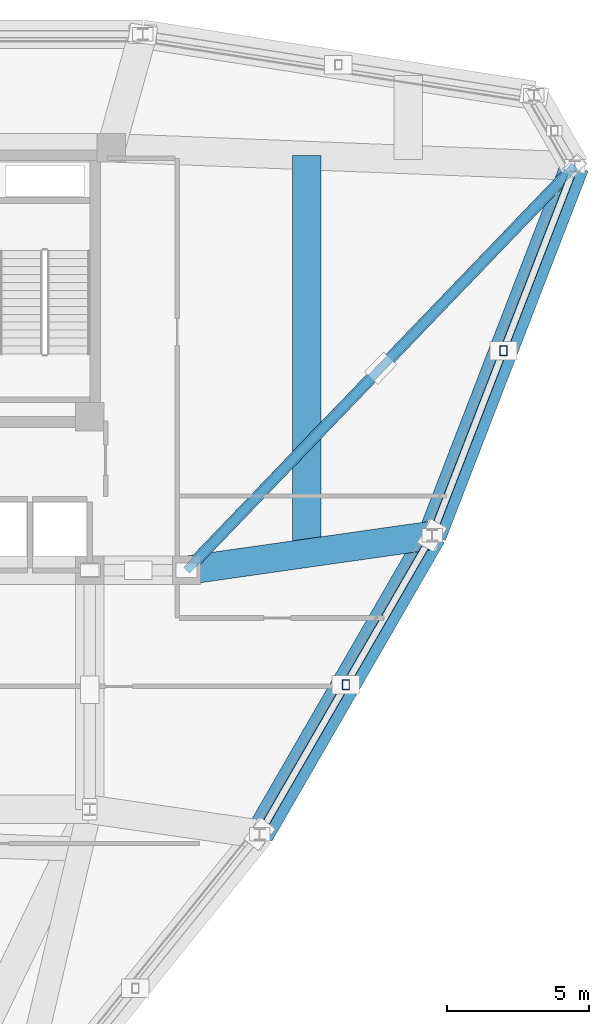
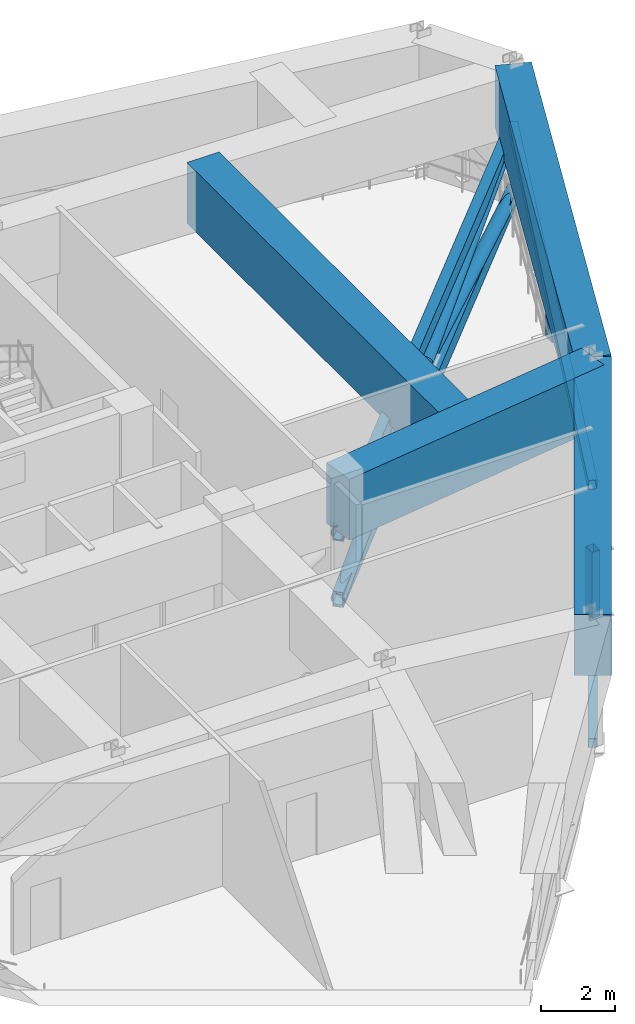
# One storey, part 4 of 11: 9 members, 4 beams.
"""IFC4 building model written with IfcOpenShell, lengths in metres."""

from ifc_helpers import new_model, si_unit, derived_unit, direction, frame, origin, origin_2d, place, context, subcontext, project, spatial, rectangle, hollow_rectangle, hollow_circle, extrude, source, transform, mapped, material, material_profile, profile_set, type_object, element, save


model = new_model("IFC4")

# Units and contexts
model_context = context("Model", 3, precision=1e-05, world=origin(), true_north=direction((0.0, 1.0)))
body_context = subcontext(model_context, "Body", "Model", "MODEL_VIEW")
ifc_project = project(units=[si_unit("LENGTHUNIT", "METRE"), si_unit("AREAUNIT", "SQUARE_METRE"), si_unit("VOLUMEUNIT", "CUBIC_METRE"), si_unit("PLANEANGLEUNIT", "RADIAN"), si_unit("MASSUNIT", "GRAM", prefix="KILO"), derived_unit("THERMALTRANSMITTANCEUNIT", [(si_unit("POWERUNIT", "WATT"), 1), (si_unit("LENGTHUNIT", "METRE"), -2), (si_unit("THERMODYNAMICTEMPERATUREUNIT", "KELVIN"), -1)])], contexts=[model_context])

# Site, building, storey
site_placement = place(None, origin())
site = spatial("IfcSite", under=ifc_project, at=site_placement, CompositionType="ELEMENT")
building_placement = place(site_placement, origin())
building = spatial("IfcBuilding", under=site, at=building_placement, Name="Korsvarv Bourse and Concert Hall", CompositionType="ELEMENT")
storey_placement = place(building_placement, frame((0.0, 0.0, 238.199951171875)))
storey = spatial("IfcBuildingStorey", under=building, at=storey_placement, Name="L62", CompositionType="ELEMENT", Elevation=238.199951171875)

# Members
ifc_material_1 = material(Name="Steel S355", Category="steel")
ifc_material_profile_1 = material_profile(ifc_material_1, hollow_rectangle(XDim=0.25, YDim=0.35009765625, WallThickness=0.012451171875, at=origin_2d()), Name="RHS 350x250x12.5")
ifc_profile_set_1 = profile_set([ifc_material_profile_1], Name="Steel S355")
member_type_1 = type_object("IfcMemberType", Name="MEM-RHS350", PredefinedType="STRUT", material=ifc_profile_set_1)
shared_shape_1 = source(origin(), body_context, "Body", "SweptSolid", [
    extrude(hollow_rectangle(XDim=0.25, YDim=0.35009765625, WallThickness=0.012451171875, at=origin_2d()), origin(), (0.0, 0.0, 1.0), 2.169921875),
])
for number, where, z_axis, x_axis, name in (
    (1, (53.399169921875, 28.37939453125, 0.35009765625), (0.0, 0.0, 1.0), (1.0, 0.0, 0.0), "L62 Perimeter Belt Truss Strut 11"),
    (2, (58.938720703125, 40.11767578125, 0.35009765625), (0.0, 0.0, 1.0), (1.0, 0.0, 0.0), "L62 Perimeter Belt Truss Strut 12"),
):
    element("IfcMember", number, at=place(storey_placement, frame(where, z_axis=z_axis, x_axis=x_axis)), inside=storey, type_object=member_type_1, Name=name, PredefinedType="STRUT", context=body_context, shape_type="MappedRepresentation", body=[
        mapped(shared_shape_1, transform((0.0, 0.0, 0.0), scale=1.0)),
    ])

# Beams
ifc_material_2 = material(Name="Concrete C60/75", Category="concrete")
ifc_material_profile_2 = material_profile(ifc_material_2, rectangle(XDim=1.0, YDim=2.0, at=origin_2d()), Name="RC-BM 1000x2000")
ifc_profile_set_2 = profile_set([ifc_material_profile_2], Name="Concrete C60/75")
beam_type = type_object("IfcBeamType", Name="BM-TR1", PredefinedType="BEAM", material=ifc_profile_set_2)
shared_shape_2 = source(origin(), body_context, "Body", "SweptSolid", [
    extrude(rectangle(XDim=1.0, YDim=2.0, at=origin_2d()), origin(), (0.0, 0.0, 1.0), 12.12353515625),
])
beam_1_placement = place(storey_placement, frame((50.368408203125, 23.1298828125, 3.570068359375), z_axis=(0.500000780442, 0.866024953196, 0.0), x_axis=(-0.866024953196, 0.500000780442, 0.0)))
element("IfcBeam", 3, at=beam_1_placement, inside=storey, type_object=beam_type, Name="L62 beam B-TR1", PredefinedType="BEAM", context=body_context, shape_type="MappedRepresentation", body=[
    mapped(shared_shape_2, transform((0.0, 0.0, 0.0), scale=1.0)),
])
shared_shape_3 = source(origin(), body_context, "Body", "SweptSolid", [
    extrude(rectangle(XDim=1.0, YDim=2.0, at=origin_2d()), origin(), (0.0, 0.0, 1.0), 13.9130859375),
])
beam_2_placement = place(storey_placement, frame((56.43017578125, 33.629150390625, 3.570068359375), z_axis=(0.360601228737, 0.932720083323, 0.0), x_axis=(-0.932720083323, 0.360601228737, 0.0)))
element("IfcBeam", 4, at=beam_2_placement, inside=storey, type_object=beam_type, Name="L62 beam B-TR1", PredefinedType="BEAM", context=body_context, shape_type="MappedRepresentation", body=[
    mapped(shared_shape_3, transform((0.0, 0.0, 0.0), scale=1.0)),
])
shared_shape_4 = source(origin(), body_context, "Body", "SweptSolid", [
    extrude(rectangle(XDim=1.0, YDim=2.0, at=origin_2d()), origin(), (0.0, 0.0, 1.0), 8.71728515625),
])
beam_3_placement = place(storey_placement, frame((56.43017578125, 33.629150390625, 3.570068359375), z_axis=(-0.990007663543, -0.141013567171, 0.0), x_axis=(0.141013567171, -0.990007663543, 0.0)))
element("IfcBeam", 5, at=beam_3_placement, inside=storey, type_object=beam_type, Name="L62 beam B-TR1", PredefinedType="BEAM", context=body_context, shape_type="MappedRepresentation", body=[
    mapped(shared_shape_4, transform((0.0, 0.0, 0.0), scale=1.0)),
])
shared_shape_5 = source(origin(), body_context, "Body", "SweptSolid", [
    extrude(rectangle(XDim=1.0, YDim=2.0, at=origin_2d()), origin(), (0.0, 0.0, 1.0), 13.977294921875),
])
beam_4_placement = place(storey_placement, frame((52.02099609375, 33.001220703125, 3.570068359375), z_axis=(0.0, 1.0, 0.0), x_axis=(-1.0, 0.0, 0.0)))
element("IfcBeam", 6, at=beam_4_placement, inside=storey, type_object=beam_type, Name="L62 Block-Shift Transverse Transfer Girder 12", PredefinedType="BEAM", context=body_context, shape_type="MappedRepresentation", body=[
    mapped(shared_shape_5, transform((0.0, 0.0, 0.0), scale=1.0)),
])

# Members
ifc_material_3 = material(Name="Steel S460", Category="steel")
ifc_material_profile_3 = material_profile(ifc_material_3, hollow_rectangle(XDim=0.300048828125, YDim=0.5, WallThickness=0.02001953125, at=origin_2d()), Name="RHS 500x300x20")
ifc_profile_set_3 = profile_set([ifc_material_profile_3], Name="Steel S460")
member_type_2 = type_object("IfcMemberType", Name="MEM-RHS500", PredefinedType="CHORD", material=ifc_profile_set_3)
shared_shape_6 = source(origin(), body_context, "Body", "SweptSolid", [
    extrude(hollow_rectangle(XDim=0.300048828125, YDim=0.5, WallThickness=0.02001953125, at=origin_2d()), origin(), (0.0, 0.0, 1.0), 19.699462890625),
])
for number, where, z_axis, x_axis, name in (
    (7, (47.800048828125, 32.39990234375, 0.35009765625), (0.692774031541, 0.721154727657, 0.0), (-0.721154727657, 0.692774031541, 0.0), "L62 Outrigger Truss E2 Bottom Chord"),
    (8, (47.800048828125, 32.39990234375, 2.52001953125), (0.692774031541, 0.721154727657, 0.0), (-0.721154727657, 0.692774031541, 0.0), "L62 Outrigger Truss E2 Top Chord"),
):
    element("IfcMember", number, at=place(storey_placement, frame(where, z_axis=z_axis, x_axis=x_axis)), inside=storey, type_object=member_type_2, Name=name, PredefinedType="CHORD", context=body_context, shape_type="MappedRepresentation", body=[
        mapped(shared_shape_6, transform((0.0, 0.0, 0.0), scale=1.0)),
    ])
ifc_material_profile_4 = material_profile(ifc_material_1, hollow_circle(Radius=0.203125, WallThickness=0.01611328125, at=origin_2d()), Name="CHS 406.4x16")
ifc_profile_set_4 = profile_set([ifc_material_profile_4], Name="Steel S355")
member_type_3 = type_object("IfcMemberType", Name="MEM-CHS406", PredefinedType="BRACE", material=ifc_profile_set_4)
shared_shape_7 = source(origin(), body_context, "Body", "SweptSolid", [
    extrude(hollow_circle(Radius=0.203125, WallThickness=0.01611328125, at=origin_2d()), origin(), (0.0, 0.0, 1.0), 19.818603515625),
])
member_1_placement = place(storey_placement, frame((47.800048828125, 32.39990234375, 0.35009765625), z_axis=(0.688609036192, 0.716819106013, 0.109489563564), x_axis=(-0.721154727657, 0.692774031541, 0.0)))
element("IfcMember", 9, at=member_1_placement, inside=storey, type_object=member_type_3, Name="L62 Outrigger Truss E2 Diagonal 1", PredefinedType="BRACE", context=body_context, shape_type="MappedRepresentation", body=[
    mapped(shared_shape_7, transform((0.0, 0.0, 0.0), scale=1.0)),
])
shared_shape_8 = source(origin(), body_context, "Body", "SweptSolid", [
    extrude(hollow_circle(Radius=0.203125, WallThickness=0.01611328125, at=origin_2d()), origin(), (0.0, 0.0, 1.0), 9.9091796875),
])
for number, where, z_axis, x_axis, name in (
    (10, (61.447265625, 46.606201171875, 0.35009765625), (-0.688621594202, -0.716807036197, 0.109489601597), (0.721142587878, -0.692786668426, 0.0), "L62 Outrigger Truss E2 Split Diagonal 2A"),
    (11, (54.62353515625, 39.503173828125, 1.43505859375), (-0.688596477983, -0.716831175602, 0.109489525498), (0.721166867207, -0.692761394452, 0.0), "L62 Outrigger Truss E2 Split Diagonal 2B"),
):
    element("IfcMember", number, at=place(storey_placement, frame(where, z_axis=z_axis, x_axis=x_axis)), inside=storey, type_object=member_type_3, Name=name, PredefinedType="BRACE", context=body_context, shape_type="MappedRepresentation", body=[
        mapped(shared_shape_8, transform((0.0, 0.0, 0.0), scale=1.0)),
    ])
shared_shape_9 = source(origin(), body_context, "Body", "SweptSolid", [
    extrude(hollow_rectangle(XDim=0.25, YDim=0.35009765625, WallThickness=0.012451171875, at=origin_2d()), origin(), (0.0, 0.0, 1.0), 12.316162109375),
])
member_2_placement = place(storey_placement, frame((50.368408203125, 23.1298828125, 0.35009765625), z_axis=(0.492179331299, 0.852477834086, 0.176184699206), x_axis=(-0.866024953196, 0.500000780442, 0.0)))
element("IfcMember", 12, at=member_2_placement, inside=storey, type_object=member_type_1, Name="L62 Perimeter Belt Truss Diagonal 11", PredefinedType="STRUT", context=body_context, shape_type="MappedRepresentation", body=[
    mapped(shared_shape_9, transform((0.0, 0.0, 0.0), scale=1.0)),
])
shared_shape_10 = source(origin(), body_context, "Body", "SweptSolid", [
    extrude(hollow_rectangle(XDim=0.25, YDim=0.35009765625, WallThickness=0.012451171875, at=origin_2d()), origin(), (0.0, 0.0, 1.0), 14.081298828125),
])
member_3_placement = place(storey_placement, frame((56.43017578125, 33.629150390625, 0.35009765625), z_axis=(0.35629397822, 0.921579081182, 0.154099312818), x_axis=(-0.932720083323, 0.360601228737, 0.0)))
element("IfcMember", 13, at=member_3_placement, inside=storey, type_object=member_type_1, Name="L62 Perimeter Belt Truss Diagonal 12", PredefinedType="STRUT", context=body_context, shape_type="MappedRepresentation", body=[
    mapped(shared_shape_10, transform((0.0, 0.0, 0.0), scale=1.0)),
])

save(model, "model.ifc")
